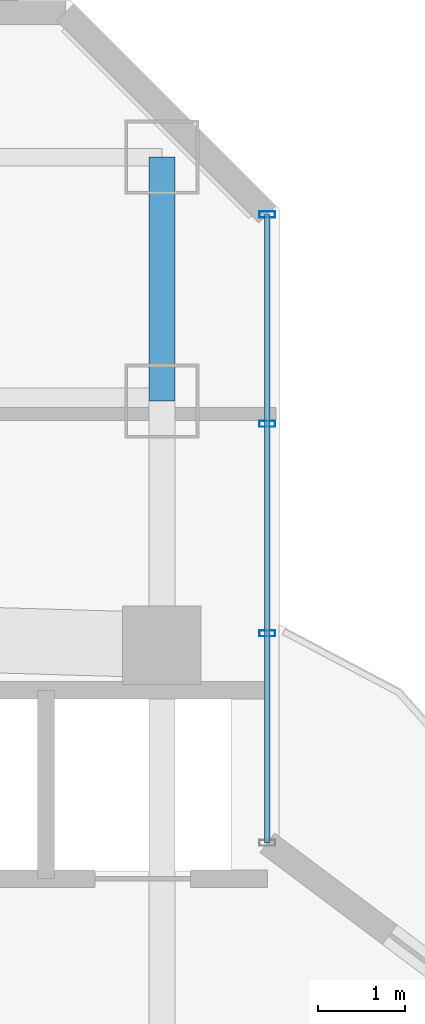
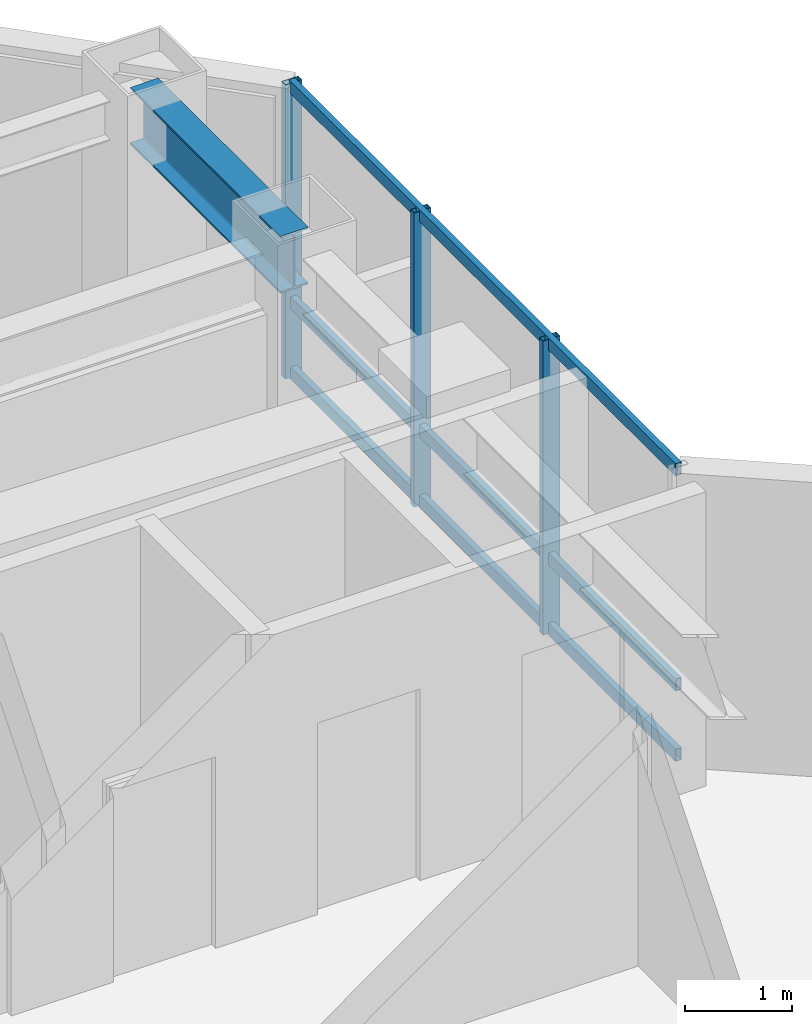
# One storey, part 19 of 26: 6 members, 1 beam, 1 element without a shape of its own.
"""IFC4 building model written with IfcOpenShell, lengths in metres."""

from ifc_helpers import new_model, si_unit, direction, frame, origin, origin_2d, place, context, subcontext, project, spatial, hollow_rectangle, i_section, extrude, material, layer, layer_set, material_profile, profile_set, type_object, element, aggregate, save


model = new_model("IFC4")

# Units and contexts
model_context = context("Model", 3, precision=1e-05, world=origin(), true_north=direction((0.0, 1.0)))
body_context = subcontext(model_context, "Body", "Model", "MODEL_VIEW")
ifc_project = project(units=[si_unit("LENGTHUNIT", "METRE"), si_unit("AREAUNIT", "SQUARE_METRE"), si_unit("VOLUMEUNIT", "CUBIC_METRE"), si_unit("PLANEANGLEUNIT", "RADIAN"), si_unit("MASSUNIT", "GRAM", prefix="KILO")], contexts=[model_context])

# Site, building, storey
site_placement = place(None, origin())
site = spatial("IfcSite", under=ifc_project, at=site_placement, CompositionType="ELEMENT")
building_placement = place(site_placement, origin())
building = spatial("IfcBuilding", under=site, at=building_placement, Name="Hatsunagi Terrace Concourse", CompositionType="ELEMENT")
storey_placement = place(building_placement, frame((0.0, 0.0, 134.85009765625)))
storey = spatial("IfcBuildingStorey", under=building, at=storey_placement, Name="L35", CompositionType="ELEMENT", Elevation=134.85009765625)

# Curtain wall, members
ifc_material_1 = material(Name="Anodised Aluminium Alloy 6063-T5", Category="aluminium")
ifc_layer = layer(ifc_material_1, 0.199951171875)
ifc_layer_set = layer_set([ifc_layer], Name="OfficeZone1_CW03")
curtain_wall_type = type_object("IfcCurtainWallType", Name="OfficeZone1_CW03", PredefinedType="NOTDEFINED", material=ifc_layer_set)
curtain_wall_placement = place(storey_placement, origin())
curtain_wall = element("IfcCurtainWall", 1, at=curtain_wall_placement, inside=storey, type_object=curtain_wall_type, Name="Unitised Curtain Wall CW-03 CW-L35-13", PredefinedType="NOTDEFINED")
ifc_material_2 = material(Name="Anodised Aluminium Alloy 6063-T5", Category="aluminium")
ifc_material_profile_1 = material_profile(ifc_material_2, hollow_rectangle(XDim=0.070068359375, YDim=0.179931640625, WallThickness=0.00390625, at=origin_2d()), Name="ALU-MUL-180x70x4")
ifc_profile_set_1 = profile_set([ifc_material_profile_1], Name="Anodised Aluminium Alloy 6063-T5")
member_type_1 = type_object("IfcMemberType", Name="CurtainWallMullion_180x70", PredefinedType="MULLION", material=ifc_profile_set_1)
member_1_placement = place(storey_placement, frame((44.860107421875, 47.94189453125, 0.0), z_axis=(0.0, 0.0, 1.0), x_axis=(0.0, -1.0, 0.0)))
member_1 = element("IfcMember", 2, at=member_1_placement, type_object=member_type_1, Name="Curtain Wall Mullion MUL-02", PredefinedType="MULLION", context=body_context, shape_type="SweptSolid", body=[
    extrude(hollow_rectangle(XDim=0.070068359375, YDim=0.179931640625, WallThickness=0.00390625, at=origin_2d()), origin(), (0.0, 0.0, 1.0), 3.349853515625),
])
member_2_placement = place(storey_placement, frame((44.860107421875, 45.5380859375, 0.0), z_axis=(0.0, 0.0, 1.0), x_axis=(0.0, -1.0, 0.0)))
member_2 = element("IfcMember", 3, at=member_2_placement, type_object=member_type_1, Name="Curtain Wall Mullion MUL-02", PredefinedType="MULLION", context=body_context, shape_type="SweptSolid", body=[
    extrude(hollow_rectangle(XDim=0.070068359375, YDim=0.179931640625, WallThickness=0.00390625, at=origin_2d()), origin(), (0.0, 0.0, 1.0), 3.349853515625),
])
member_3_placement = place(storey_placement, frame((44.860107421875, 43.134033203125, 0.0), z_axis=(0.0, 0.0, 1.0), x_axis=(0.0, -1.0, 0.0)))
member_3 = element("IfcMember", 4, at=member_3_placement, type_object=member_type_1, Name="Curtain Wall Mullion MUL-02", PredefinedType="MULLION", context=body_context, shape_type="SweptSolid", body=[
    extrude(hollow_rectangle(XDim=0.070068359375, YDim=0.179931640625, WallThickness=0.00390625, at=origin_2d()), origin(), (0.0, 0.0, 1.0), 3.349853515625),
])
ifc_material_3 = material(Name="Anodised Aluminium Alloy 6063-T5", Category="aluminium")
ifc_material_profile_2 = material_profile(ifc_material_3, hollow_rectangle(XDim=0.06494140625, YDim=0.139892578125, WallThickness=0.00390625, at=origin_2d()), Name="ALU-TRN-140x65x4")
ifc_profile_set_2 = profile_set([ifc_material_profile_2], Name="Anodised Aluminium Alloy 6063-T5")
member_type_2 = type_object("IfcMemberType", Name="CurtainWallTransom_140x65", PredefinedType="USERDEFINED", material=ifc_profile_set_2)
member_4_placement = place(storey_placement, frame((44.860107421875, 47.94189453125, 0.0498046875), z_axis=(0.0, -1.0, 0.0), x_axis=(1.0, 0.0, 0.0)))
member_4 = element("IfcMember", 5, at=member_4_placement, type_object=member_type_2, Name="Curtain Wall Transom TRN-02", ObjectType="TRANSOM", PredefinedType="USERDEFINED", context=body_context, shape_type="SweptSolid", body=[
    extrude(hollow_rectangle(XDim=0.06494140625, YDim=0.139892578125, WallThickness=0.00390625, at=origin_2d()), origin(), (0.0, 0.0, 1.0), 7.2119140625),
])
member_5_placement = place(storey_placement, frame((44.860107421875, 47.94189453125, 0.849853515625), z_axis=(0.0, -1.0, 0.0), x_axis=(1.0, 0.0, 0.0)))
member_5 = element("IfcMember", 6, at=member_5_placement, type_object=member_type_2, Name="Curtain Wall Transom TRN-02", ObjectType="TRANSOM", PredefinedType="USERDEFINED", context=body_context, shape_type="SweptSolid", body=[
    extrude(hollow_rectangle(XDim=0.06494140625, YDim=0.139892578125, WallThickness=0.00390625, at=origin_2d()), origin(), (0.0, 0.0, 1.0), 7.2119140625),
])
member_6_placement = place(storey_placement, frame((44.860107421875, 47.94189453125, 3.2998046875), z_axis=(0.0, -1.0, 0.0), x_axis=(1.0, 0.0, 0.0)))
member_6 = element("IfcMember", 7, at=member_6_placement, type_object=member_type_2, Name="Curtain Wall Transom TRN-02", ObjectType="TRANSOM", PredefinedType="USERDEFINED", context=body_context, shape_type="SweptSolid", body=[
    extrude(hollow_rectangle(XDim=0.06494140625, YDim=0.139892578125, WallThickness=0.00390625, at=origin_2d()), origin(), (0.0, 0.0, 1.0), 7.2119140625),
])
aggregate(curtain_wall, [member_1, member_2, member_3, member_4, member_5, member_6])

# Beam
ifc_material_4 = material(Name="Steel SN490B", Category="steel")
ifc_material_profile_3 = material_profile(ifc_material_4, i_section(OverallWidth=0.300048828125, OverallDepth=0.64990234375, WebThickness=0.012939453125, FlangeThickness=0.02197265625, FilletRadius=0.01806640625, at=origin_2d()), Name="H-650x300x13x22")
ifc_profile_set_3 = profile_set([ifc_material_profile_3], Name="Steel SN490B")
beam_type = type_object("IfcBeamType", Name="OfficeLowGirder_H_650x300", PredefinedType="BEAM", material=ifc_profile_set_3)
beam_placement = place(storey_placement, frame((43.64990234375, 45.800048828125, 3.02490234375), z_axis=(0.0, 1.0, 0.0), x_axis=(-1.0, 0.0, 0.0)))
element("IfcBeam", 8, at=beam_placement, inside=storey, type_object=beam_type, Name="Beam G-05 BM-L35-KN-WN6", PredefinedType="BEAM", context=body_context, shape_type="SweptSolid", body=[
    extrude(i_section(OverallWidth=0.300048828125, OverallDepth=0.64990234375, WebThickness=0.012939453125, FlangeThickness=0.02197265625, FilletRadius=0.01806640625, at=origin_2d()), origin(), (0.0, 0.0, 1.0), 2.800048828125),
])

save(model, "model.ifc")
